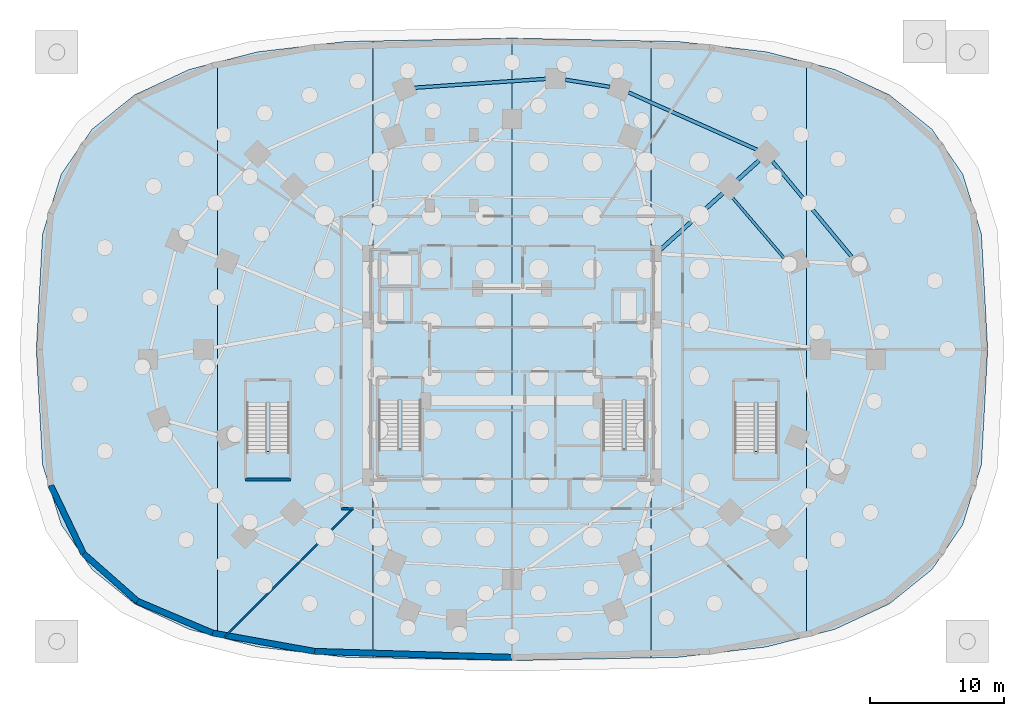
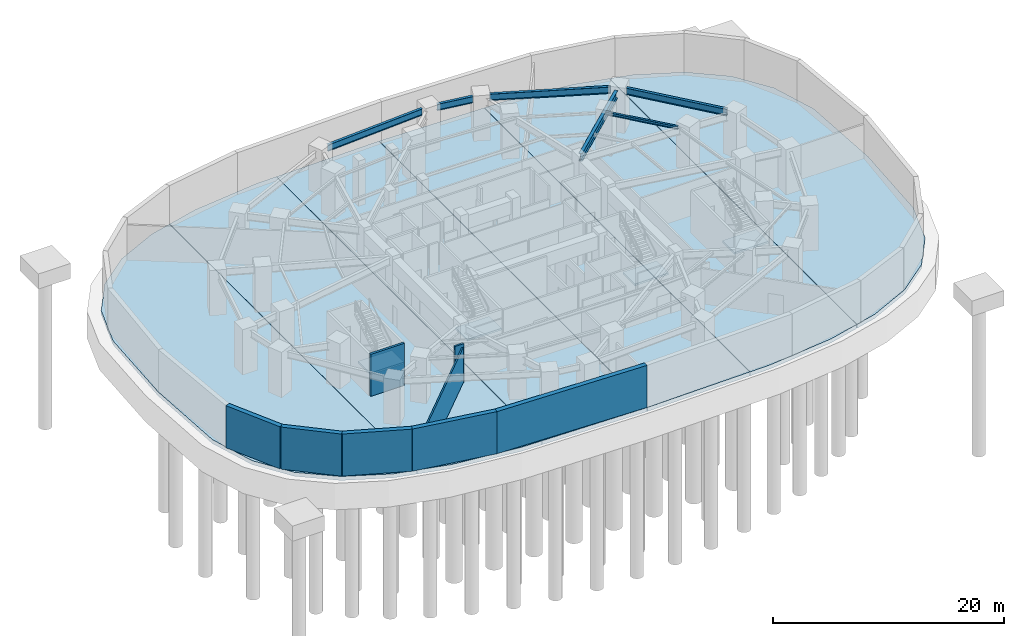
# One storey, part 3 of 9: 10 slabs, 8 walls, 6 beams, 4 elements without a shape of their own.
"""IFC4 building model written with IfcOpenShell, lengths in metres."""

from ifc_helpers import new_model, si_unit, direction, frame, frame_2d, origin, origin_2d, place, context, subcontext, project, spatial, polyline, rectangle, i_section, outline, extrude, material, layer, layer_set, material_profile, profile_set, type_object, element, aggregate, save


model = new_model("IFC4")

# Units and contexts
model_context = context("Model", 3, precision=1e-05, world=origin(), true_north=direction((0.0, 1.0)))
body_context = subcontext(model_context, "Body", "Model", "MODEL_VIEW")
ifc_project = project(units=[si_unit("LENGTHUNIT", "METRE"), si_unit("AREAUNIT", "SQUARE_METRE"), si_unit("VOLUMEUNIT", "CUBIC_METRE"), si_unit("PLANEANGLEUNIT", "RADIAN"), si_unit("MASSUNIT", "GRAM", prefix="KILO")], contexts=[model_context])

# Site, building, storey
site_placement = place(None, origin())
site = spatial("IfcSite", under=ifc_project, at=site_placement, CompositionType="ELEMENT")
building_placement = place(site_placement, origin())
building = spatial("IfcBuilding", under=site, at=building_placement, Name="Vorneva Point Tower", CompositionType="ELEMENT")
storey_placement = place(building_placement, frame((0.0, 0.0, -9.60009765625)))
storey = spatial("IfcBuildingStorey", under=building, at=storey_placement, Name="B02", CompositionType="ELEMENT", Elevation=-9.60009765625)

# Beams
ifc_material_1 = material(Name="Steel S355", Category="steel")
ifc_material_profile_1 = material_profile(ifc_material_1, i_section(OverallWidth=0.300048828125, OverallDepth=0.7880859375, WebThickness=0.014404296875, FlangeThickness=0.02197265625, at=origin_2d()), Name="80Sh1")
ifc_profile_set_1 = profile_set([ifc_material_profile_1], Name="Steel S355")
beam_type_1 = type_object("IfcBeamType", Name="BM-GRD-80Sh1", PredefinedType="USERDEFINED", material=ifc_profile_set_1)
beam_1_placement = place(storey_placement, frame((56.44970703125, 40.10498046875, 4.05615234375), z_axis=(-0.742089370901, -0.67030095151, 0.0), x_axis=(0.67030095151, -0.742089370901, 0.0)))
element("IfcBeam", 1, at=beam_1_placement, inside=storey, type_object=beam_type_1, Name="B02 Radial Primary Girder 03", ObjectType="GIRDER", PredefinedType="USERDEFINED", context=body_context, shape_type="SweptSolid", body=[
    extrude(i_section(OverallWidth=0.300048828125, OverallDepth=0.7880859375, WebThickness=0.014404296875, FlangeThickness=0.02197265625, at=origin_2d()), origin(), (0.0, 0.0, 1.0), 10.035888671875),
])
ifc_material_profile_2 = material_profile(ifc_material_1, i_section(OverallWidth=0.199951171875, OverallDepth=0.291015625, WebThickness=0.008056640625, FlangeThickness=0.010986328125, at=origin_2d()), Name="30Sh1")
ifc_profile_set_2 = profile_set([ifc_material_profile_2], Name="Steel S355")
beam_type_2 = type_object("IfcBeamType", Name="BM-SEC-30Sh1", PredefinedType="BEAM", material=ifc_profile_set_2)
beam_2_placement = place(storey_placement, frame((58.398681640625, 32.73046875, 4.3046875), z_axis=(-0.649792108042, 0.760111976176, 0.0), x_axis=(-0.760111976176, -0.649792108042, 0.0)))
element("IfcBeam", 2, at=beam_2_placement, inside=storey, type_object=beam_type_2, Name="B02 Secondary Floor Beam 1.02", PredefinedType="BEAM", context=body_context, shape_type="SweptSolid", body=[
    extrude(i_section(OverallWidth=0.199951171875, OverallDepth=0.291015625, WebThickness=0.008056640625, FlangeThickness=0.010986328125, at=origin_2d()), origin(), (0.0, 0.0, 1.0), 6.6435546875),
])
ifc_material_profile_3 = material_profile(ifc_material_1, i_section(OverallWidth=0.260009765625, OverallDepth=0.69091796875, WebThickness=0.011962890625, FlangeThickness=0.015380859375, at=origin_2d()), Name="70B1")
ifc_profile_set_3 = profile_set([ifc_material_profile_3], Name="Steel S355")
beam_type_3 = type_object("IfcBeamType", Name="BM-SPN-70B1-SUB", PredefinedType="SPANDREL", material=ifc_profile_set_3)
beam_3_placement = place(storey_placement, frame((63.385009765625, 32.90234375, 4.1044921875), z_axis=(-0.638592053959, 0.769545442856, 0.0), x_axis=(-0.769545442856, -0.638592053959, 0.0)))
element("IfcBeam", 3, at=beam_3_placement, inside=storey, type_object=beam_type_3, Name="B02 Perimeter Spandrel Ring Beam 02", PredefinedType="SPANDREL", context=body_context, shape_type="SweptSolid", body=[
    extrude(i_section(OverallWidth=0.260009765625, OverallDepth=0.69091796875, WebThickness=0.011962890625, FlangeThickness=0.015380859375, at=origin_2d()), origin(), (0.0, 0.0, 1.0), 9.267578125),
])
beam_4_placement = place(storey_placement, frame((56.326171875, 40.899169921875, 4.1044921875), z_axis=(-0.91332481678, 0.407231849263, 0.0), x_axis=(-0.407231849263, -0.91332481678, 0.0)))
element("IfcBeam", 4, at=beam_4_placement, inside=storey, type_object=beam_type_3, Name="B02 Perimeter Spandrel Ring Beam 03", PredefinedType="SPANDREL", context=body_context, shape_type="SweptSolid", body=[
    extrude(i_section(OverallWidth=0.260009765625, OverallDepth=0.69091796875, WebThickness=0.011962890625, FlangeThickness=0.015380859375, at=origin_2d()), origin(), (0.0, 0.0, 1.0), 10.54248046875),
])
beam_5_placement = place(storey_placement, frame((45.30029296875, 45.607666015625, 4.1044921875), z_axis=(-0.98747243374, 0.157791611323, 0.0), x_axis=(-0.157791611323, -0.98747243374, 0.0)))
element("IfcBeam", 5, at=beam_5_placement, inside=storey, type_object=beam_type_3, Name="B02 Perimeter Spandrel Ring Beam 04", PredefinedType="SPANDREL", context=body_context, shape_type="SweptSolid", body=[
    extrude(i_section(OverallWidth=0.260009765625, OverallDepth=0.69091796875, WebThickness=0.011962890625, FlangeThickness=0.015380859375, at=origin_2d()), origin(), (0.0, 0.0, 1.0), 3.351318359375),
])
beam_6_placement = place(storey_placement, frame((40.53173828125, 46.203125, 4.1044921875), z_axis=(-0.997736846563, -0.067239757663, 0.0), x_axis=(0.067239757663, -0.997736846563, 0.0)))
element("IfcBeam", 6, at=beam_6_placement, inside=storey, type_object=beam_type_3, Name="B02 Perimeter Spandrel Ring Beam 05", PredefinedType="SPANDREL", context=body_context, shape_type="SweptSolid", body=[
    extrude(i_section(OverallWidth=0.260009765625, OverallDepth=0.69091796875, WebThickness=0.011962890625, FlangeThickness=0.015380859375, at=origin_2d()), origin(), (0.0, 0.0, 1.0), 9.846923828125),
])

# Slabs
ifc_material_2 = material(Name="Concrete B50 (C40/50)", Category="concrete")
ifc_layer_1 = layer(ifc_material_2, 0.419921875)
ifc_layer_set_1 = layer_set([ifc_layer_1], Name="Concrete B50 (C40/50)")
slab_type_1 = type_object("IfcSlabType", Name="SLB-BASE-420", PredefinedType="BASESLAB", material=ifc_layer_set_1)
slab_1_placement = place(storey_placement, frame((0.0, 0.0, -0.419921875)))
element("IfcSlab", 7, at=slab_1_placement, inside=storey, type_object=slab_type_1, Name="Basement 02 Base Slab Zone 1", PredefinedType="BASESLAB", context=body_context, shape_type="SweptSolid", body=[
    extrude(outline(polyline([(15.989990234375, 4.55322265625), (15.989990234375, 47.44677734375), (13.8994140625, 46.908203125), (9.81640625, 45.00390625), (6.634033203125, 42.4384765625), (4.33642578125, 39.0849609375), (2.942626953125, 34.615478515625), (2.47509765625, 26.0), (2.942626953125, 17.384521484375), (4.33642578125, 12.9150390625), (6.634033203125, 9.5615234375), (9.81640625, 6.99609375), (13.8994140625, 5.091796875), (15.989990234375, 4.55322265625)])), origin(), (0.0, 0.0, 1.0), 0.419921875),
])
slab_2_placement = place(storey_placement, frame((0.0, 0.0, -0.419921875)))
element("IfcSlab", 8, at=slab_2_placement, inside=storey, type_object=slab_type_1, Name="Basement 02 Base Slab Zone 2", PredefinedType="BASESLAB", context=body_context, shape_type="SweptSolid", body=[
    extrude(outline(polyline([(16.010009765625, 47.451904296875), (16.010009765625, 4.548095703125), (19.001708984375, 3.777587890625), (25.572021484375, 3.007568359375), (27.590087890625, 2.96630859375), (27.590087890625, 49.03369140625), (25.572021484375, 48.992431640625), (19.001708984375, 48.222412109375), (16.010009765625, 47.451904296875)])), origin(), (0.0, 0.0, 1.0), 0.419921875),
])
slab_3_placement = place(storey_placement, frame((0.0, 0.0, -0.419921875)))
element("IfcSlab", 9, at=slab_3_placement, inside=storey, type_object=slab_type_1, Name="Basement 02 Base Slab Zone 3", PredefinedType="BASESLAB", context=body_context, shape_type="SweptSolid", body=[
    extrude(outline(polyline([(27.610107421875, 49.033935546875), (27.610107421875, 2.966064453125), (37.989990234375, 2.754150390625), (37.989990234375, 49.245849609375), (27.610107421875, 49.033935546875)])), origin(), (0.0, 0.0, 1.0), 0.419921875),
])
slab_4_placement = place(storey_placement, frame((0.0, 0.0, -0.419921875)))
element("IfcSlab", 10, at=slab_4_placement, inside=storey, type_object=slab_type_1, Name="Basement 02 Base Slab Zone 4", PredefinedType="BASESLAB", context=body_context, shape_type="SweptSolid", body=[
    extrude(outline(polyline([(38.010009765625, 49.245849609375), (38.010009765625, 2.754150390625), (48.389892578125, 2.966064453125), (48.389892578125, 49.033935546875), (38.010009765625, 49.245849609375)])), origin(), (0.0, 0.0, 1.0), 0.419921875),
])
slab_5_placement = place(storey_placement, frame((0.0, 0.0, -0.419921875)))
element("IfcSlab", 11, at=slab_5_placement, inside=storey, type_object=slab_type_1, Name="Basement 02 Base Slab Zone 5", PredefinedType="BASESLAB", context=body_context, shape_type="SweptSolid", body=[
    extrude(outline(polyline([(48.409912109375, 49.03369140625), (48.409912109375, 2.96630859375), (50.427978515625, 3.007568359375), (56.998291015625, 3.777587890625), (59.989990234375, 4.548095703125), (59.989990234375, 47.451904296875), (56.998291015625, 48.222412109375), (50.427978515625, 48.992431640625), (48.409912109375, 49.03369140625)])), origin(), (0.0, 0.0, 1.0), 0.419921875),
])
slab_6_placement = place(storey_placement, frame((0.0, 0.0, -0.419921875)))
element("IfcSlab", 12, at=slab_6_placement, inside=storey, type_object=slab_type_1, Name="Basement 02 Base Slab Zone 6", PredefinedType="BASESLAB", context=body_context, shape_type="SweptSolid", body=[
    extrude(outline(polyline([(60.010009765625, 47.44677734375), (60.010009765625, 4.55322265625), (62.1005859375, 5.091796875), (66.18359375, 6.99609375), (69.365966796875, 9.5615234375), (71.66357421875, 12.9150390625), (73.057373046875, 17.384521484375), (73.52490234375, 26.0), (73.057373046875, 34.615478515625), (71.66357421875, 39.0849609375), (69.365966796875, 42.4384765625), (66.18359375, 45.00390625), (62.1005859375, 46.908203125), (60.010009765625, 47.44677734375)])), origin(), (0.0, 0.0, 1.0), 0.419921875),
])

# Stair, slab
stair_type = type_object("IfcStairType", Name="ST-DOG-1500", PredefinedType="HALF_TURN_STAIR", material=ifc_material_2)
stair_1_placement = place(storey_placement, origin())
stair_1 = element("IfcStair", 13, at=stair_1_placement, inside=storey, type_object=stair_type, Name="B02 ST1", PredefinedType="HALF_TURN_STAIR")
ifc_layer_2 = layer(ifc_material_2, 0.199951171875)
ifc_layer_set_2 = layer_set([ifc_layer_2], Name="Concrete B50 (C40/50)")
slab_type_2 = type_object("IfcSlabType", Name="SLB-LND-200", PredefinedType="LANDING", material=ifc_layer_set_2)
slab_7_placement = place(storey_placement, frame((0.0, 0.0, 2.2001953125)))
slab_7 = element("IfcSlab", 14, at=slab_7_placement, type_object=slab_type_2, Name="ST1 landing 1", PredefinedType="LANDING", context=body_context, shape_type="SweptSolid", body=[
    extrude(outline(polyline([(27.929931640625, 16.47998046875), (31.320068359375, 16.47998046875), (31.320068359375, 18.570068359375), (27.929931640625, 18.570068359375), (27.929931640625, 16.47998046875)])), origin(), (0.0, 0.0, 1.0), 0.199951171875),
])
aggregate(stair_1, [slab_7])

stair_2_placement = place(storey_placement, origin())
stair_2 = element("IfcStair", 15, at=stair_2_placement, inside=storey, type_object=stair_type, Name="B02 ST2", PredefinedType="HALF_TURN_STAIR")
slab_8_placement = place(storey_placement, frame((0.0, 0.0, 2.2001953125)))
slab_8 = element("IfcSlab", 16, at=slab_8_placement, type_object=slab_type_2, Name="ST2 landing 1", PredefinedType="LANDING", context=body_context, shape_type="SweptSolid", body=[
    extrude(outline(polyline([(44.679931640625, 16.47998046875), (48.070068359375, 16.47998046875), (48.070068359375, 18.570068359375), (44.679931640625, 18.570068359375), (44.679931640625, 16.47998046875)])), origin(), (0.0, 0.0, 1.0), 0.199951171875),
])
aggregate(stair_2, [slab_8])

stair_3_placement = place(storey_placement, origin())
stair_3 = element("IfcStair", 17, at=stair_3_placement, inside=storey, type_object=stair_type, Name="B02 ST3", PredefinedType="HALF_TURN_STAIR")
slab_9_placement = place(storey_placement, frame((0.0, 0.0, 2.2001953125)))
slab_9 = element("IfcSlab", 18, at=slab_9_placement, type_object=slab_type_2, Name="ST3 landing 1", PredefinedType="LANDING", context=body_context, shape_type="SweptSolid", body=[
    extrude(outline(polyline([(18.080078125, 16.280029296875), (21.469970703125, 16.280029296875), (21.469970703125, 18.3701171875), (18.080078125, 18.3701171875), (18.080078125, 16.280029296875)])), origin(), (0.0, 0.0, 1.0), 0.199951171875),
])
aggregate(stair_3, [slab_9])

stair_4_placement = place(storey_placement, origin())
stair_4 = element("IfcStair", 19, at=stair_4_placement, inside=storey, type_object=stair_type, Name="B02 ST4", PredefinedType="HALF_TURN_STAIR")
slab_10_placement = place(storey_placement, frame((0.0, 0.0, 2.2001953125)))
slab_10 = element("IfcSlab", 20, at=slab_10_placement, type_object=slab_type_2, Name="ST4 landing 1", PredefinedType="LANDING", context=body_context, shape_type="SweptSolid", body=[
    extrude(outline(polyline([(54.530029296875, 16.280029296875), (57.919921875, 16.280029296875), (57.919921875, 18.3701171875), (54.530029296875, 18.3701171875), (54.530029296875, 16.280029296875)])), origin(), (0.0, 0.0, 1.0), 0.199951171875),
])
aggregate(stair_4, [slab_10])

# Walls
ifc_material_3 = material(Name="Fire-rated acoustic gypsum stud partition", Category="gypsum")
ifc_layer_3 = layer(ifc_material_3, 0.139892578125)
ifc_layer_set_3 = layer_set([ifc_layer_3], Name="Fire-rated acoustic gypsum stud partition")
wall_type_1 = type_object("IfcWallType", Name="WL-PART-140", PredefinedType="PARTITIONING", material=ifc_layer_set_3)
wall_1_placement = place(storey_placement, frame((16.56103515625, 4.56103515625, 0.0), z_axis=(0.0, 0.0, 1.0), x_axis=(0.707106781187, 0.707106781187, 0.0)))
element("IfcWall", 21, at=wall_1_placement, inside=storey, type_object=wall_type_1, Name="B02 Interior Partition 039", PredefinedType="PARTITIONING", context=body_context, shape_type="SweptSolid", body=[
    extrude(rectangle(XDim=13.490234375, YDim=0.139892578125, at=frame_2d((6.7451171875, 0.0))), origin(), (0.0, 0.0, 1.0), 3.739013671875),
])
ifc_material_4 = material(Name="Autoclaved aerated concrete blockwork", Category="masonry")
ifc_layer_4 = layer(ifc_material_4, 0.179931640625)
ifc_layer_set_4 = layer_set([ifc_layer_4], Name="Autoclaved aerated concrete blockwork")
wall_type_2 = type_object("IfcWallType", Name="WL-PART-180", PredefinedType="PARTITIONING", material=ifc_layer_set_4)
wall_2_placement = place(storey_placement, frame((25.25, 14.10009765625, 0.0), z_axis=(0.0, 0.0, 1.0), x_axis=(1.0, 0.0, 0.0)))
element("IfcWall", 22, at=wall_2_placement, inside=storey, type_object=wall_type_2, Name="B02 Interior Partition 028", PredefinedType="PARTITIONING", context=body_context, shape_type="SweptSolid", body=[
    extrude(rectangle(XDim=0.909912109375, YDim=0.179931640625, at=frame_2d((0.455078125, 0.0))), origin(), (0.0, 0.0, 1.0), 4.083984375),
])
ifc_material_5 = material(Name="Concrete B60 (C50/60)", Category="concrete")
ifc_layer_5 = layer(ifc_material_5, 0.449951171875)
ifc_layer_set_5 = layer_set([ifc_layer_5], Name="Concrete B60 (C50/60)")
wall_type_3 = type_object("IfcWallType", Name="WL-RET-450", PredefinedType="SOLIDWALL", material=ifc_layer_set_5)
wall_3_placement = place(storey_placement, frame((3.552978515625, 15.837158203125, 0.0), z_axis=(0.0, 0.0, 1.0), x_axis=(0.433120243411, -0.901336149695, 0.0)))
element("IfcWall", 23, at=wall_3_placement, inside=storey, type_object=wall_type_3, Name="B02 Perimeter Retaining Wall 14", PredefinedType="SOLIDWALL", context=body_context, shape_type="SweptSolid", body=[
    extrude(rectangle(XDim=5.648681640625, YDim=0.449951171875, at=frame_2d((2.82421875, 0.0))), origin(), (0.0, 0.0, 1.0), 4.4501953125),
])
wall_4_placement = place(storey_placement, frame((5.99951171875, 10.745849609375, 0.0), z_axis=(0.0, 0.0, 1.0), x_axis=(0.749561336725, -0.661934892937, 0.0)))
element("IfcWall", 24, at=wall_4_placement, inside=storey, type_object=wall_type_3, Name="B02 Perimeter Retaining Wall 15", PredefinedType="SOLIDWALL", context=body_context, shape_type="SweptSolid", body=[
    extrude(rectangle(XDim=5.360595703125, YDim=0.449951171875, at=frame_2d((2.68017578125, 0.0))), origin(), (0.0, 0.0, 1.0), 4.4501953125),
])
wall_5_placement = place(storey_placement, frame((10.017578125, 7.197509765625, 0.0), z_axis=(0.0, 0.0, 1.0), x_axis=(0.92081090532, -0.390009328919, 0.0)))
element("IfcWall", 25, at=wall_5_placement, inside=storey, type_object=wall_type_3, Name="B02 Perimeter Retaining Wall 16", PredefinedType="SOLIDWALL", context=body_context, shape_type="SweptSolid", body=[
    extrude(rectangle(XDim=6.10205078125, YDim=0.449951171875, at=frame_2d((3.051025390625, 0.0))), origin(), (0.0, 0.0, 1.0), 4.4501953125),
])
wall_6_placement = place(storey_placement, frame((15.636474609375, 4.817626953125, 0.0), z_axis=(0.0, 0.0, 1.0), x_axis=(0.984238318617, -0.176847200051, 0.0)))
element("IfcWall", 26, at=wall_6_placement, inside=storey, type_object=wall_type_3, Name="B02 Perimeter Retaining Wall 17", PredefinedType="SOLIDWALL", context=body_context, shape_type="SweptSolid", body=[
    extrude(rectangle(XDim=7.748779296875, YDim=0.449951171875, at=frame_2d((3.87451171875, 0.0))), origin(), (0.0, 0.0, 1.0), 4.4501953125),
])
wall_7_placement = place(storey_placement, frame((23.26318359375, 3.447265625, 0.0), z_axis=(0.0, 0.0, 1.0), x_axis=(0.999540251976, -0.030319707786, 0.0)))
element("IfcWall", 27, at=wall_7_placement, inside=storey, type_object=wall_type_3, Name="B02 Perimeter Retaining Wall 18", PredefinedType="SOLIDWALL", context=body_context, shape_type="SweptSolid", body=[
    extrude(rectangle(XDim=14.74365234375, YDim=0.449951171875, at=frame_2d((7.371826171875, 0.0))), origin(), (0.0, 0.0, 1.0), 4.4501953125),
])
ifc_layer_6 = layer(ifc_material_2, 0.219970703125)
ifc_layer_set_6 = layer_set([ifc_layer_6], Name="Concrete B50 (C40/50)")
wall_type_4 = type_object("IfcWallType", Name="WL-SHFT-220", PredefinedType="SOLIDWALL", material=ifc_layer_set_6)
wall_8_placement = place(storey_placement, frame((21.4599609375, 16.2900390625, 0.0), z_axis=(0.0, 0.0, 1.0), x_axis=(-1.0, 0.0, 0.0)))
element("IfcWall", 28, at=wall_8_placement, inside=storey, type_object=wall_type_4, Name="B02 Exit Stair ST3 Shaft Wall far", PredefinedType="SOLIDWALL", context=body_context, shape_type="SweptSolid", body=[
    extrude(rectangle(XDim=3.369873046875, YDim=0.219970703125, at=frame_2d((1.68505859375, 0.0))), origin(), (0.0, 0.0, 1.0), 4.4501953125),
])

save(model, "model.ifc")
